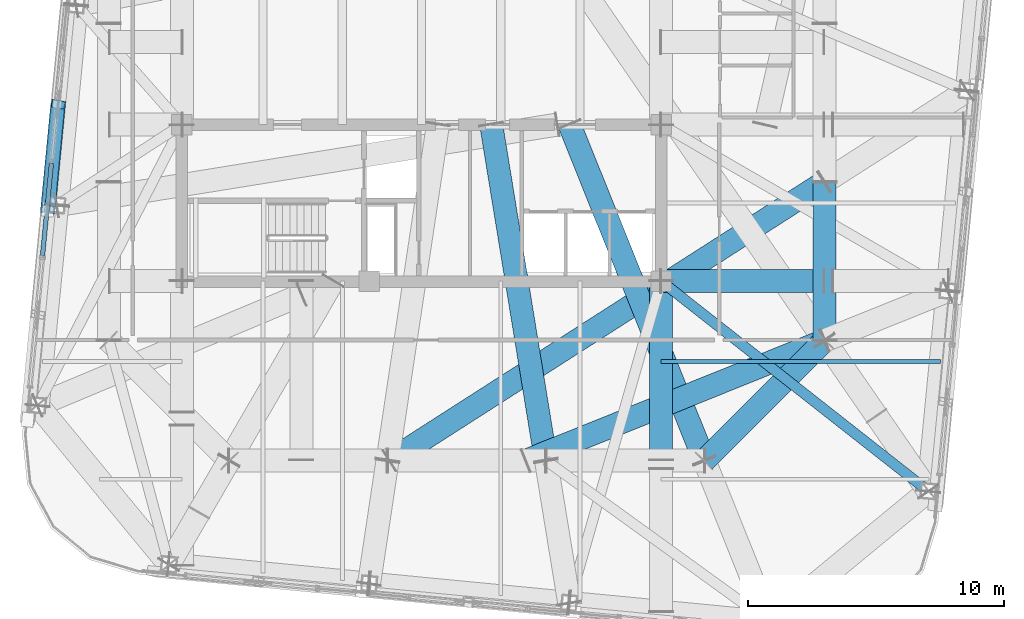
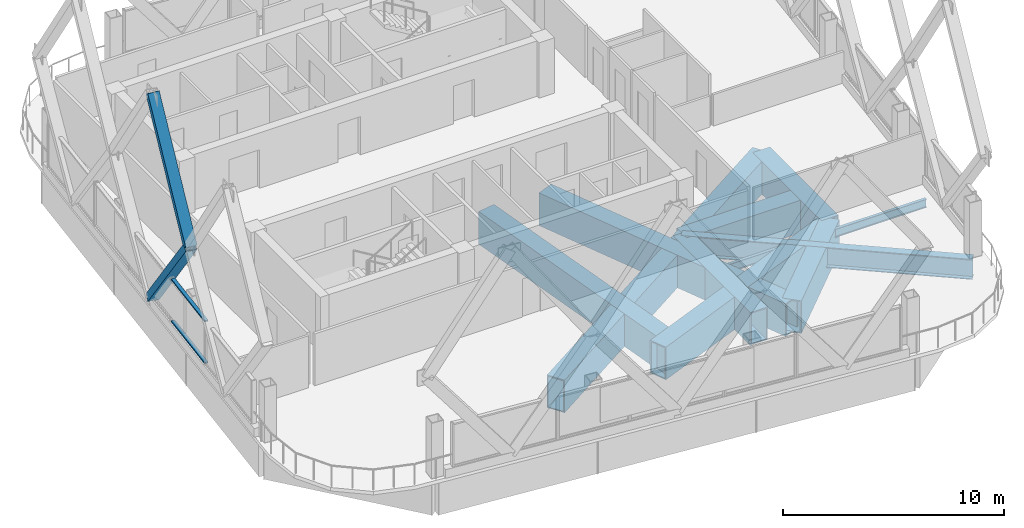
# One storey, part 11 of 31: 10 beams, 4 members, 1 element without a shape of its own.
"""IFC4 building model written with IfcOpenShell, lengths in metres."""

from ifc_helpers import new_model, si_unit, direction, frame, origin, origin_2d, place, context, subcontext, project, spatial, hollow_rectangle, i_section, extrude, material, layer, layer_set, material_profile, profile_set, type_object, element, aggregate, save


model = new_model("IFC4")

# Units and contexts
model_context = context("Model", 3, precision=1e-05, world=origin(), true_north=direction((0.0, 1.0)))
body_context = subcontext(model_context, "Body", "Model", "MODEL_VIEW")
ifc_project = project(units=[si_unit("LENGTHUNIT", "METRE"), si_unit("AREAUNIT", "SQUARE_METRE"), si_unit("VOLUMEUNIT", "CUBIC_METRE"), si_unit("PLANEANGLEUNIT", "RADIAN"), si_unit("MASSUNIT", "GRAM", prefix="KILO")], contexts=[model_context])

# Site, building, storey
site_placement = place(None, origin())
site = spatial("IfcSite", under=ifc_project, at=site_placement, CompositionType="ELEMENT")
building_placement = place(site_placement, origin())
building = spatial("IfcBuilding", under=site, at=building_placement, Name="Qhalaya Broadcast Tower", CompositionType="ELEMENT")
storey_placement = place(building_placement, frame((0.0, 0.0, 242.85009765625)))
storey = spatial("IfcBuildingStorey", under=building, at=storey_placement, Name="L71", CompositionType="ELEMENT", Elevation=242.85009765625)

# Beams
ifc_material_1 = material(Name="Structural Steel ASTM A572 Grade 50", Category="steel")
ifc_material_profile_1 = material_profile(ifc_material_1, hollow_rectangle(XDim=0.89990234375, YDim=1.800048828125, WallThickness=0.06005859375, at=origin_2d()), Name="BOX 900x1800x60")
ifc_profile_set_1 = profile_set([ifc_material_profile_1], Name="Structural Steel ASTM A572 Grade 50")
beam_type_1 = type_object("IfcBeamType", Name="Block Cantilever Transfer Box Girder TG1", PredefinedType="USERDEFINED", material=ifc_profile_set_1)
beam_1_placement = place(storey_placement, frame((11.070068359375, -15.77001953125, -1.090087890625), z_axis=(0.707106781187, 0.707106781187, 0.0), x_axis=(-0.707106781187, 0.707106781187, 0.0)))
element("IfcBeam", 1, at=beam_1_placement, inside=storey, type_object=beam_type_1, Name="L71 TG1 L71-TGL-04", ObjectType="GIRDER", PredefinedType="USERDEFINED", context=body_context, shape_type="SweptSolid", body=[
    extrude(hollow_rectangle(XDim=0.89990234375, YDim=1.800048828125, WallThickness=0.06005859375, at=origin_2d()), origin(), (0.0, 0.0, 1.0), 6.646728515625),
])
beam_2_placement = place(storey_placement, frame((15.77001953125, -11.070068359375, -1.090087890625), z_axis=(0.0, 1.0, 0.0), x_axis=(-1.0, 0.0, 0.0)))
element("IfcBeam", 2, at=beam_2_placement, inside=storey, type_object=beam_type_1, Name="L71 TG1 L71-TGL-05", ObjectType="GIRDER", PredefinedType="USERDEFINED", context=body_context, shape_type="SweptSolid", body=[
    extrude(hollow_rectangle(XDim=0.89990234375, YDim=1.800048828125, WallThickness=0.06005859375, at=origin_2d()), origin(), (0.0, 0.0, 1.0), 6.199951171875),
])
beam_3_placement = place(storey_placement, frame((9.375, -15.72998046875, -1.090087890625), z_axis=(0.0, 1.0, 0.0), x_axis=(-1.0, 0.0, 0.0)))
element("IfcBeam", 3, at=beam_3_placement, inside=storey, type_object=beam_type_1, Name="L71 TG1 L71-TGISE-1", ObjectType="GIRDER", PredefinedType="USERDEFINED", context=body_context, shape_type="SweptSolid", body=[
    extrude(hollow_rectangle(XDim=0.89990234375, YDim=1.800048828125, WallThickness=0.06005859375, at=origin_2d()), origin(), (0.0, 0.0, 1.0), 6.97998046875),
])
beam_4_placement = place(storey_placement, frame((9.375, -8.75, -1.090087890625), z_axis=(1.0, 0.0, 0.0), x_axis=(0.0, 1.0, 0.0)))
element("IfcBeam", 4, at=beam_4_placement, inside=storey, type_object=beam_type_1, Name="L71 TG1 L71-TGIY1E-1", ObjectType="GIRDER", PredefinedType="USERDEFINED", context=body_context, shape_type="SweptSolid", body=[
    extrude(hollow_rectangle(XDim=0.89990234375, YDim=1.800048828125, WallThickness=0.06005859375, at=origin_2d()), origin(), (0.0, 0.0, 1.0), 6.35498046875),
])
beam_5_placement = place(storey_placement, frame((2.72607421875, -2.625, -1.090087890625), z_axis=(0.160979585443, -0.986957736213, 0.0), x_axis=(0.986957736213, 0.160979585443, 0.0)))
element("IfcBeam", 5, at=beam_5_placement, inside=storey, type_object=beam_type_1, Name="L71 Collinear Back-Span Transfer Box Girder 03", ObjectType="GIRDER", PredefinedType="USERDEFINED", context=body_context, shape_type="SweptSolid", body=[
    extrude(hollow_rectangle(XDim=0.89990234375, YDim=1.800048828125, WallThickness=0.06005859375, at=origin_2d()), origin(), (0.0, 0.0, 1.0), 13.31884765625),
])
beam_6_placement = place(storey_placement, frame((5.790771484375, -2.625, -1.090087890625), z_axis=(0.37268589833, -0.927957553547, 0.0), x_axis=(0.927957553547, 0.37268589833, 0.0)))
element("IfcBeam", 6, at=beam_6_placement, inside=storey, type_object=beam_type_1, Name="L71 Collinear Back-Span Transfer Box Girder 04", ObjectType="GIRDER", PredefinedType="USERDEFINED", context=body_context, shape_type="SweptSolid", body=[
    extrude(hollow_rectangle(XDim=0.89990234375, YDim=1.800048828125, WallThickness=0.06005859375, at=origin_2d()), origin(), (0.0, 0.0, 1.0), 14.16552734375),
])
beam_7_placement = place(storey_placement, frame((4.095947265625, -15.77001953125, -1.090087890625), z_axis=(0.927643517938, 0.373466870858, 0.0), x_axis=(-0.373466870858, 0.927643517938, 0.0)))
element("IfcBeam", 7, at=beam_7_placement, inside=storey, type_object=beam_type_1, Name="L71 Collinear Back-Span Transfer Box Girder 06", ObjectType="GIRDER", PredefinedType="USERDEFINED", context=body_context, shape_type="SweptSolid", body=[
    extrude(hollow_rectangle(XDim=0.89990234375, YDim=1.800048828125, WallThickness=0.06005859375, at=origin_2d()), origin(), (0.0, 0.0, 1.0), 12.584716796875),
])
beam_8_placement = place(storey_placement, frame((-1.235595703125, -15.77001953125, -1.090087890625), z_axis=(0.841904623895, 0.539626356161, 0.0), x_axis=(-0.539626356161, 0.841904623895, 0.0)))
element("IfcBeam", 8, at=beam_8_placement, inside=storey, type_object=beam_type_1, Name="L71 Collinear Back-Span Transfer Box Girder 07", ObjectType="GIRDER", PredefinedType="USERDEFINED", context=body_context, shape_type="SweptSolid", body=[
    extrude(hollow_rectangle(XDim=0.89990234375, YDim=1.800048828125, WallThickness=0.06005859375, at=origin_2d()), origin(), (0.0, 0.0, 1.0), 20.198974609375),
])
ifc_material_2 = material(Name="Structural Steel ASTM A992 Grade 50", Category="steel")
ifc_material_profile_2 = material_profile(ifc_material_2, i_section(OverallWidth=0.154052734375, OverallDepth=0.458984375, WebThickness=0.009033203125, FlangeThickness=0.015380859375, at=origin_2d()), Name="W18X46")
ifc_profile_set_2 = profile_set([ifc_material_profile_2], Name="Structural Steel ASTM A992 Grade 50")
beam_type_2 = type_object("IfcBeamType", Name="Composite Floor Joist J04", PredefinedType="JOIST", material=ifc_profile_set_2)
beam_9_placement = place(storey_placement, frame((9.375, -11.89990234375, -0.419677734375), z_axis=(1.0, 0.0, 0.0), x_axis=(0.0, 1.0, 0.0)))
element("IfcBeam", 9, at=beam_9_placement, inside=storey, type_object=beam_type_2, Name="L71 J04 L71-JWE2E-1", PredefinedType="JOIST", context=body_context, shape_type="SweptSolid", body=[
    extrude(i_section(OverallWidth=0.154052734375, OverallDepth=0.458984375, WebThickness=0.009033203125, FlangeThickness=0.015380859375, at=origin_2d()), origin(), (0.0, 0.0, 1.0), 10.9208984375),
])

# Members
ifc_material_profile_3 = material_profile(ifc_material_1, hollow_rectangle(XDim=0.3798828125, YDim=0.550048828125, WallThickness=0.02490234375, at=origin_2d()), Name="BOX 380x550x25")
ifc_profile_set_3 = profile_set([ifc_material_profile_3], Name="Structural Steel ASTM A572 Grade 50")
member_type_1 = type_object("IfcMemberType", Name="Exoskeleton Diamond Diagonal Upper EX4", PredefinedType="BRACE", material=ifc_profile_set_3)
member_1_placement = place(storey_placement, frame((-14.218017578125, -1.830078125, 0.35986328125), z_axis=(-0.058266125563, -0.605364209609, 0.793813096602), x_axis=(0.171107534, 0.777341068105, 0.605361937725)))
element("IfcMember", 10, at=member_1_placement, inside=storey, type_object=member_type_1, Name="B6 Exoskeleton Diamond Brace W2-D2", PredefinedType="BRACE", context=body_context, shape_type="SweptSolid", body=[
    extrude(hollow_rectangle(XDim=0.3798828125, YDim=0.550048828125, WallThickness=0.02490234375, at=origin_2d()), origin(), (0.0, 0.0, 1.0), 6.79638671875),
])
member_2_placement = place(storey_placement, frame((-14.614013671875, -5.9443359375, 5.7548828125), z_axis=(0.055127452373, 0.572754517502, 0.817871155303), x_axis=(-0.17340185175, -0.801178209115, 0.572752368)))
element("IfcMember", 11, at=member_2_placement, inside=storey, type_object=member_type_1, Name="B6 Exoskeleton Diamond Brace W2-D4", PredefinedType="BRACE", context=body_context, shape_type="SweptSolid", body=[
    extrude(hollow_rectangle(XDim=0.3798828125, YDim=0.550048828125, WallThickness=0.02490234375, at=origin_2d()), origin(), (0.0, 0.0, 1.0), 7.183349609375),
])

# Beam
ifc_material_profile_4 = material_profile(ifc_material_2, i_section(OverallWidth=0.404052734375, OverallDepth=1.117919921875, WebThickness=0.026123046875, FlangeThickness=0.044921875, at=origin_2d()), Name="W44X335")
ifc_profile_set_4 = profile_set([ifc_material_profile_4], Name="Structural Steel ASTM A992 Grade 50")
beam_type_3 = type_object("IfcBeamType", Name="Podium Long-Span Primary Girder PG1", PredefinedType="USERDEFINED", material=ifc_profile_set_4)
beam_10_placement = place(storey_placement, frame((9.375, -8.75, -0.7490234375), z_axis=(0.786342554219, -0.617790731093, 0.0), x_axis=(0.617790731093, 0.786342554219, 0.0)))
element("IfcBeam", 12, at=beam_10_placement, inside=storey, type_object=beam_type_3, Name="L71 Column-to-Column Moment Tie Girder 05-1", ObjectType="GIRDER", PredefinedType="USERDEFINED", context=body_context, shape_type="SweptSolid", body=[
    extrude(i_section(OverallWidth=0.404052734375, OverallDepth=1.117919921875, WebThickness=0.026123046875, FlangeThickness=0.044921875, at=origin_2d()), origin(), (0.0, 0.0, 1.0), 13.2939453125),
])

# Curtain wall, members
ifc_material_3 = material(Name="Solar-Control Low-E Triple Glazing", Category="glass")
ifc_layer = layer(ifc_material_3, 0.219970703125, Name="Solar-Control Low-E Triple Glazing")
ifc_layer_set = layer_set([ifc_layer], Name="Solar-Control Low-E Triple Glazing")
curtain_wall_type = type_object("IfcCurtainWallType", Name="High-Altitude Upper-Shaft Triple Low-E Curtain Wall CW-04", PredefinedType="NOTDEFINED", material=ifc_layer_set)
curtain_wall_placement = place(storey_placement, origin())
curtain_wall = element("IfcCurtainWall", 13, at=curtain_wall_placement, inside=storey, type_object=curtain_wall_type, Name="L71 Unitised Curtain Wall L71-CW-W4", PredefinedType="NOTDEFINED")
ifc_material_4 = material(Name="Anodised Aluminium 6063-T6", Category="aluminium")
ifc_material_profile_5 = material_profile(ifc_material_4, hollow_rectangle(XDim=0.074951171875, YDim=0.179931640625, WallThickness=0.00390625, at=origin_2d()), Name="ALU-TRN 75x180x4")
ifc_profile_set_5 = profile_set([ifc_material_profile_5], Name="Anodised Aluminium 6063-T6")
member_type_2 = type_object("IfcMemberType", Name="Unitised Curtain-Wall Transom T01", PredefinedType="USERDEFINED", material=ifc_profile_set_5)
member_3_placement = place(storey_placement, frame((-14.480224609375, -4.137451171875, 0.517333984375), z_axis=(-0.095820260228, -0.995398652666, 0.0), x_axis=(0.0, 0.0, 1.0)))
member_3 = element("IfcMember", 14, at=member_3_placement, type_object=member_type_2, Name="CW-04 transom 1.1", ObjectType="TRANSOM", PredefinedType="USERDEFINED", context=body_context, shape_type="SweptSolid", body=[
    extrude(hollow_rectangle(XDim=0.074951171875, YDim=0.179931640625, WallThickness=0.00390625, at=origin_2d()), origin(), (0.0, 0.0, 1.0), 3.623046875),
])
member_4_placement = place(storey_placement, frame((-14.480224609375, -4.137451171875, 2.822509765625), z_axis=(-0.095820260228, -0.995398652666, 0.0), x_axis=(0.0, 0.0, 1.0)))
member_4 = element("IfcMember", 15, at=member_4_placement, type_object=member_type_2, Name="CW-04 transom 1.2", ObjectType="TRANSOM", PredefinedType="USERDEFINED", context=body_context, shape_type="SweptSolid", body=[
    extrude(hollow_rectangle(XDim=0.074951171875, YDim=0.179931640625, WallThickness=0.00390625, at=origin_2d()), origin(), (0.0, 0.0, 1.0), 3.623046875),
])
aggregate(curtain_wall, [member_3, member_4])

save(model, "model.ifc")
